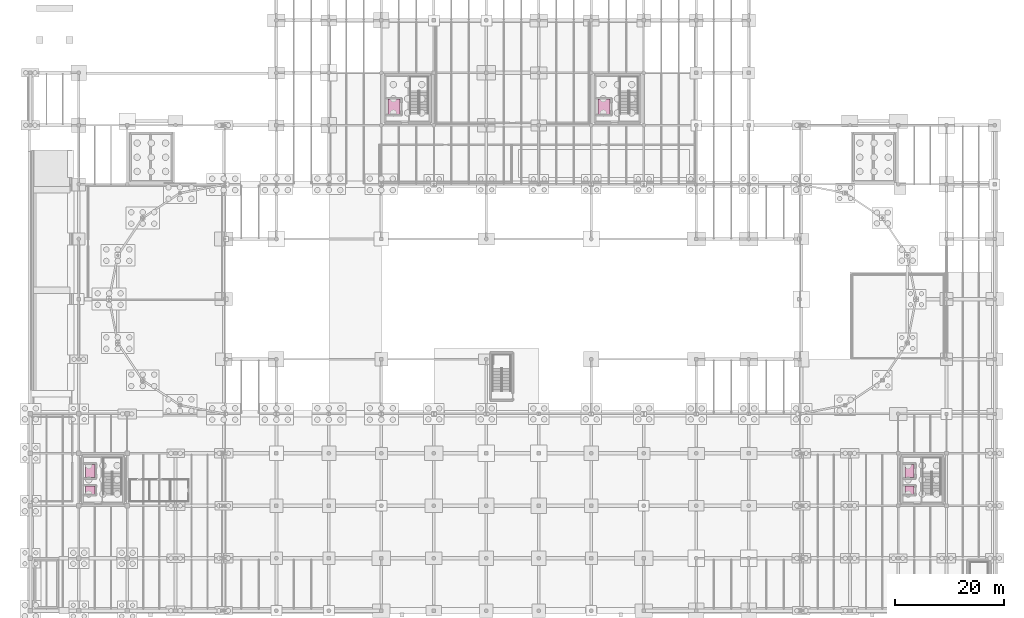
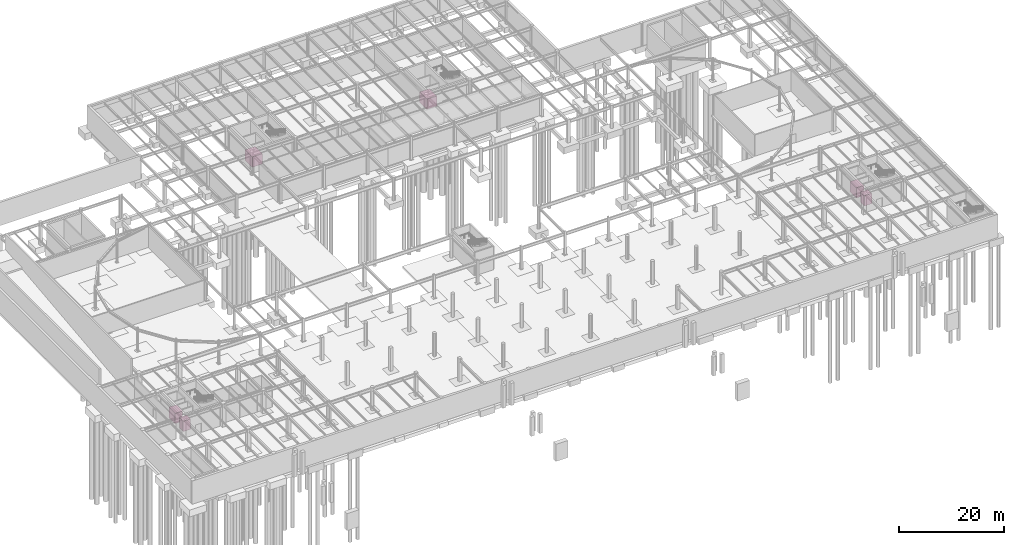
# One storey, part 50 of 50: 6 transport elements.
"""IFC4 building model written with IfcOpenShell, lengths in metres."""

from ifc_helpers import new_model, si_unit, direction, frame, origin, origin_2d, place, context, subcontext, project, spatial, rectangle, extrude, material, type_object, element, save


model = new_model("IFC4")

# Units and contexts
model_context = context("Model", 3, precision=1e-05, world=origin(), true_north=direction((0.0, 1.0)))
body_context = subcontext(model_context, "Body", "Model", "MODEL_VIEW")
ifc_project = project(units=[si_unit("LENGTHUNIT", "METRE"), si_unit("AREAUNIT", "SQUARE_METRE"), si_unit("VOLUMEUNIT", "CUBIC_METRE"), si_unit("PLANEANGLEUNIT", "RADIAN"), si_unit("MASSUNIT", "GRAM", prefix="KILO")], contexts=[model_context])

# Site, building, storey
site_placement = place(None, origin())
site = spatial("IfcSite", under=ifc_project, at=site_placement, CompositionType="ELEMENT")
building_placement = place(site_placement, origin())
building = spatial("IfcBuilding", under=site, at=building_placement, Name="Yeouljin Market Hall", CompositionType="ELEMENT")
storey_placement = place(building_placement, frame((0.0, 0.0, -5.39990234375)))
storey = spatial("IfcBuildingStorey", under=building, at=storey_placement, Name="B1", CompositionType="ELEMENT", Elevation=-5.39990234375)

# Transport elements
ifc_material_1 = material(Name="Brushed Stainless Steel Elevator Cab", Category="steel")
transport_element_type_1 = type_object("IfcTransportElementType", Name="Lift_Goods_2200x2800", PredefinedType="ELEVATOR", material=ifc_material_1)
for number, where, z_axis, x_axis, name in (
    (1, (66.550048828125, 92.199951171875, 0.0), (0.0, 0.0, 1.0), (1.0, 0.0, 0.0), "Elevator car LG-01"),
    (2, (104.949951171875, 92.199951171875, 0.0), (0.0, 0.0, 1.0), (1.0, 0.0, 0.0), "Elevator car LG-02"),
):
    element("IfcTransportElement", number, at=place(storey_placement, frame(where, z_axis=z_axis, x_axis=x_axis)), inside=storey, type_object=transport_element_type_1, Name=name, PredefinedType="ELEVATOR", context=body_context, shape_type="SweptSolid", body=[
        extrude(rectangle(XDim=2.199951171875, YDim=2.800048828125, at=origin_2d()), origin(), (0.0, 0.0, 1.0), 2.39990234375),
    ])
ifc_material_2 = material(Name="Brushed Stainless Steel Elevator Cab", Category="steel")
transport_element_type_2 = type_object("IfcTransportElementType", Name="Lift_Passenger_1650x1500", PredefinedType="ELEVATOR", material=ifc_material_2)
for number, where, z_axis, x_axis, name in (
    (3, (10.949951171875, 22.050048828125, 0.0), (0.0, 0.0, 1.0), (1.0, 0.0, 0.0), "Elevator car LP-01"),
    (4, (160.840087890625, 22.050048828125, 0.0), (0.0, 0.0, 1.0), (1.0, 0.0, 0.0), "Elevator car LP-03"),
):
    element("IfcTransportElement", number, at=place(storey_placement, frame(where, z_axis=z_axis, x_axis=x_axis)), inside=storey, type_object=transport_element_type_2, Name=name, PredefinedType="ELEVATOR", context=body_context, shape_type="SweptSolid", body=[
        extrude(rectangle(XDim=1.64990234375, YDim=1.5, at=origin_2d()), origin(), (0.0, 0.0, 1.0), 2.39990234375),
    ])
ifc_material_3 = material(Name="Brushed Stainless Steel Elevator Cab", Category="steel")
transport_element_type_3 = type_object("IfcTransportElementType", Name="Lift_Stretcher_1650x2400", PredefinedType="ELEVATOR", material=ifc_material_3)
for number, where, z_axis, x_axis, name in (
    (5, (10.949951171875, 25.550048828125, 0.0), (0.0, 0.0, 1.0), (1.0, 0.0, 0.0), "Elevator car LS-01"),
    (6, (160.840087890625, 25.550048828125, 0.0), (0.0, 0.0, 1.0), (1.0, 0.0, 0.0), "Elevator car LS-02"),
):
    element("IfcTransportElement", number, at=place(storey_placement, frame(where, z_axis=z_axis, x_axis=x_axis)), inside=storey, type_object=transport_element_type_3, Name=name, PredefinedType="ELEVATOR", context=body_context, shape_type="SweptSolid", body=[
        extrude(rectangle(XDim=1.64990234375, YDim=2.39990234375, at=origin_2d()), origin(), (0.0, 0.0, 1.0), 2.39990234375),
    ])

save(model, "model.ifc")
